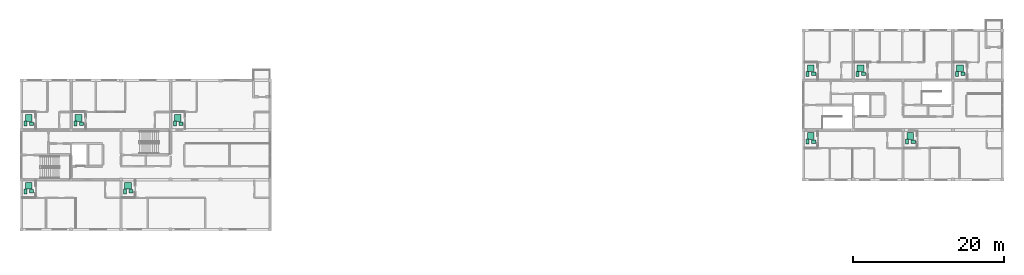
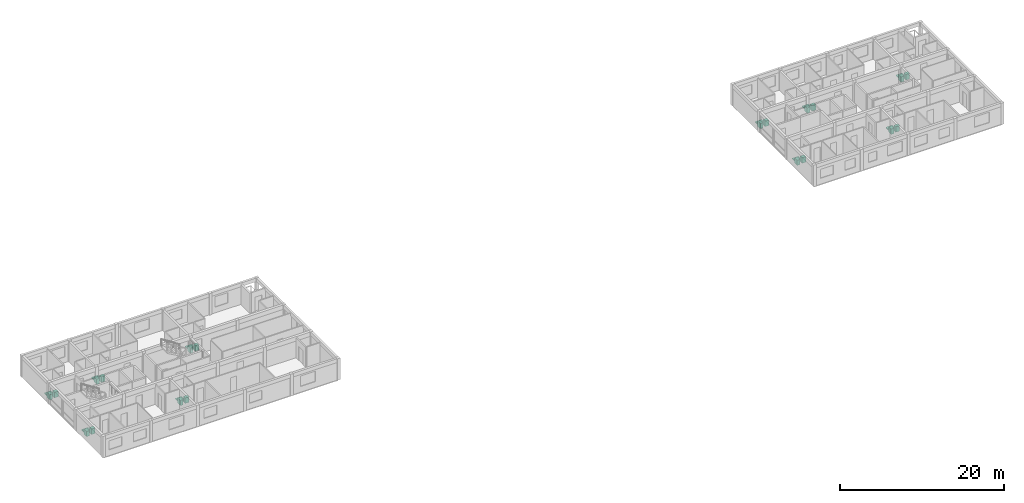
# One storey, part 23 of 23: 30 sanitary terminals.
"""IFC4 building model written with IfcOpenShell, lengths in metres."""

from ifc_helpers import new_model, si_unit, direction, frame, origin, origin_2d, place, context, subcontext, project, spatial, rectangle, extrude, material, type_object, element, save


model = new_model("IFC4")

# Units and contexts
model_context = context("Model", 3, precision=1e-05, world=origin(), true_north=direction((0.0, 1.0)))
body_context = subcontext(model_context, "Body", "Model", "MODEL_VIEW")
ifc_project = project(units=[si_unit("LENGTHUNIT", "METRE"), si_unit("AREAUNIT", "SQUARE_METRE"), si_unit("VOLUMEUNIT", "CUBIC_METRE"), si_unit("PLANEANGLEUNIT", "RADIAN"), si_unit("MASSUNIT", "GRAM", prefix="KILO")], contexts=[model_context])

# Site, building, storey
site_placement = place(None, origin())
site = spatial("IfcSite", under=ifc_project, at=site_placement, CompositionType="ELEMENT")
building_placement = place(site_placement, origin())
building = spatial("IfcBuilding", under=site, at=building_placement, Name="Kernevlak Ridge Housing Community", CompositionType="ELEMENT")
storey_placement = place(building_placement, frame((0.0, 0.0, 46.800048828125)))
storey = spatial("IfcBuildingStorey", under=building, at=storey_placement, Name="L14", CompositionType="ELEMENT", Elevation=46.800048828125)

# Sanitary terminals
ifc_material_1 = material(Name="Vitreous china ceramic")
sanitary_terminal_type_1 = type_object("IfcSanitaryTerminalType", Name="SN-BS", PredefinedType="WASHHANDBASIN", material=ifc_material_1)
for number, where, z_axis, x_axis, name in (
    (1, (16.949951171875, 81.050048828125, 0.0), (0.0, 0.0, 1.0), (1.0, 0.0, 0.0), "Washhand basin 78"),
    (2, (30.14990234375, 81.050048828125, 0.0), (0.0, 0.0, 1.0), (1.0, 0.0, 0.0), "Washhand basin 79"),
    (3, (16.949951171875, 90.050048828125, 0.0), (0.0, 0.0, 1.0), (1.0, 0.0, 0.0), "Washhand basin 80"),
    (4, (23.550048828125, 90.050048828125, 0.0), (0.0, 0.0, 1.0), (1.0, 0.0, 0.0), "Washhand basin 81"),
    (5, (36.75, 90.050048828125, 0.0), (0.0, 0.0, 1.0), (1.0, 0.0, 0.0), "Washhand basin 82"),
    (6, (120.75, 87.64990234375, 0.0), (0.0, 0.0, 1.0), (1.0, 0.0, 0.0), "Washhand basin 175"),
    (7, (133.949951171875, 87.64990234375, 0.0), (0.0, 0.0, 1.0), (1.0, 0.0, 0.0), "Washhand basin 176"),
    (8, (120.75, 96.64990234375, 0.0), (0.0, 0.0, 1.0), (1.0, 0.0, 0.0), "Washhand basin 177"),
    (9, (127.35009765625, 96.64990234375, 0.0), (0.0, 0.0, 1.0), (1.0, 0.0, 0.0), "Washhand basin 178"),
    (10, (140.550048828125, 96.64990234375, 0.0), (0.0, 0.0, 1.0), (1.0, 0.0, 0.0), "Washhand basin 179"),
):
    element("IfcSanitaryTerminal", number, at=place(storey_placement, frame(where, z_axis=z_axis, x_axis=x_axis)), inside=storey, type_object=sanitary_terminal_type_1, Name=name, PredefinedType="WASHHANDBASIN", context=body_context, shape_type="SweptSolid", body=[
        extrude(rectangle(XDim=0.550048828125, YDim=0.449951171875, at=origin_2d()), origin(), (0.0, 0.0, 1.0), 0.820068359375),
    ])
ifc_material_2 = material(Name="Glazed porcelain ceramic")
sanitary_terminal_type_2 = type_object("IfcSanitaryTerminalType", Name="SN-SH", PredefinedType="SHOWER", material=ifc_material_2)
for number, where, z_axis, x_axis, name in (
    (11, (16.550048828125, 81.800048828125, 0.0), (0.0, 0.0, 1.0), (1.0, 0.0, 0.0), "Shower tray 78"),
    (12, (29.75, 81.800048828125, 0.0), (0.0, 0.0, 1.0), (1.0, 0.0, 0.0), "Shower tray 79"),
    (13, (16.550048828125, 90.800048828125, 0.0), (0.0, 0.0, 1.0), (1.0, 0.0, 0.0), "Shower tray 80"),
    (14, (23.14990234375, 90.800048828125, 0.0), (0.0, 0.0, 1.0), (1.0, 0.0, 0.0), "Shower tray 81"),
    (15, (36.35009765625, 90.800048828125, 0.0), (0.0, 0.0, 1.0), (1.0, 0.0, 0.0), "Shower tray 82"),
    (16, (120.35009765625, 88.39990234375, 0.0), (0.0, 0.0, 1.0), (1.0, 0.0, 0.0), "Shower tray 175"),
    (17, (133.550048828125, 88.39990234375, 0.0), (0.0, 0.0, 1.0), (1.0, 0.0, 0.0), "Shower tray 176"),
    (18, (120.35009765625, 97.39990234375, 0.0), (0.0, 0.0, 1.0), (1.0, 0.0, 0.0), "Shower tray 177"),
    (19, (126.949951171875, 97.39990234375, 0.0), (0.0, 0.0, 1.0), (1.0, 0.0, 0.0), "Shower tray 178"),
    (20, (140.14990234375, 97.39990234375, 0.0), (0.0, 0.0, 1.0), (1.0, 0.0, 0.0), "Shower tray 179"),
):
    element("IfcSanitaryTerminal", number, at=place(storey_placement, frame(where, z_axis=z_axis, x_axis=x_axis)), inside=storey, type_object=sanitary_terminal_type_2, Name=name, PredefinedType="SHOWER", context=body_context, shape_type="SweptSolid", body=[
        extrude(rectangle(XDim=0.89990234375, YDim=0.89990234375, at=origin_2d()), origin(), (0.0, 0.0, 1.0), 0.1201171875),
    ])
sanitary_terminal_type_3 = type_object("IfcSanitaryTerminalType", Name="SN-WC", PredefinedType="TOILETPAN", material=ifc_material_1)
for number, where, z_axis, x_axis, name in (
    (21, (16.14990234375, 81.050048828125, 0.0), (0.0, 0.0, 1.0), (1.0, 0.0, 0.0), "WC pan 78"),
    (22, (29.35009765625, 81.050048828125, 0.0), (0.0, 0.0, 1.0), (1.0, 0.0, 0.0), "WC pan 79"),
    (23, (16.14990234375, 90.050048828125, 0.0), (0.0, 0.0, 1.0), (1.0, 0.0, 0.0), "WC pan 80"),
    (24, (22.75, 90.050048828125, 0.0), (0.0, 0.0, 1.0), (1.0, 0.0, 0.0), "WC pan 81"),
    (25, (35.949951171875, 90.050048828125, 0.0), (0.0, 0.0, 1.0), (1.0, 0.0, 0.0), "WC pan 82"),
    (26, (119.949951171875, 87.64990234375, 0.0), (0.0, 0.0, 1.0), (1.0, 0.0, 0.0), "WC pan 175"),
    (27, (133.14990234375, 87.64990234375, 0.0), (0.0, 0.0, 1.0), (1.0, 0.0, 0.0), "WC pan 176"),
    (28, (119.949951171875, 96.64990234375, 0.0), (0.0, 0.0, 1.0), (1.0, 0.0, 0.0), "WC pan 177"),
    (29, (126.550048828125, 96.64990234375, 0.0), (0.0, 0.0, 1.0), (1.0, 0.0, 0.0), "WC pan 178"),
    (30, (139.75, 96.64990234375, 0.0), (0.0, 0.0, 1.0), (1.0, 0.0, 0.0), "WC pan 179"),
):
    element("IfcSanitaryTerminal", number, at=place(storey_placement, frame(where, z_axis=z_axis, x_axis=x_axis)), inside=storey, type_object=sanitary_terminal_type_3, Name=name, PredefinedType="TOILETPAN", context=body_context, shape_type="SweptSolid", body=[
        extrude(rectangle(XDim=0.39990234375, YDim=0.64990234375, at=origin_2d()), origin(), (0.0, 0.0, 1.0), 0.780029296875),
    ])

save(model, "model.ifc")
